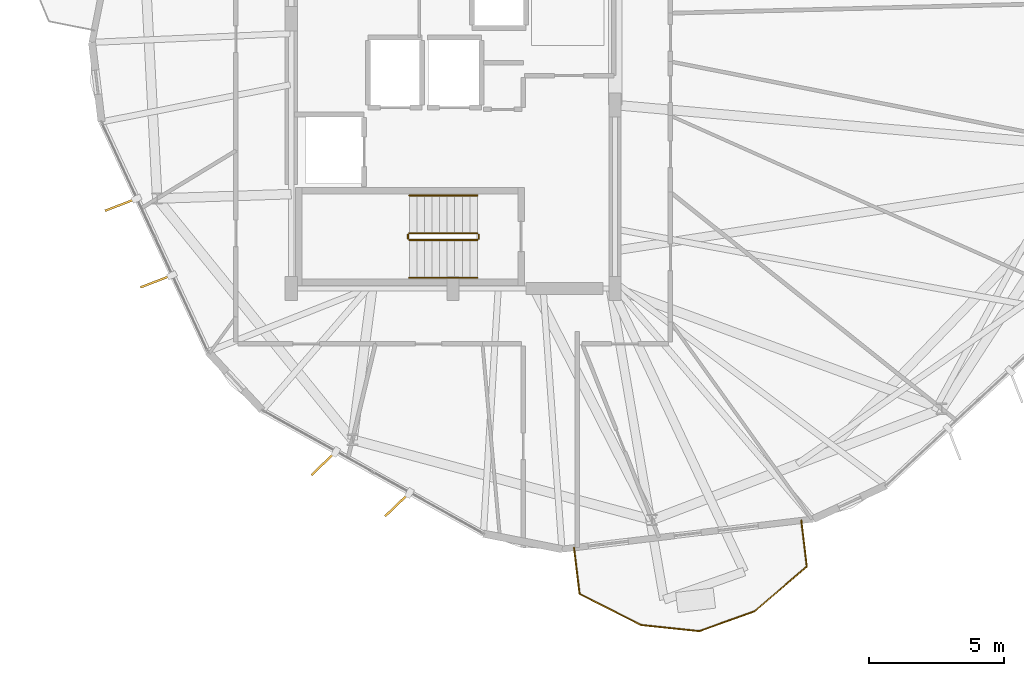
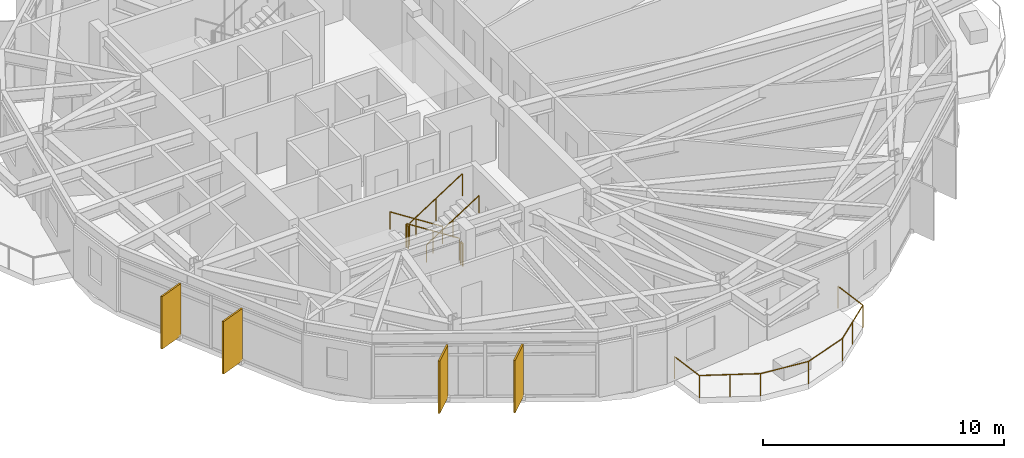
# One storey, part 23 of 25: 7 railings, 4 shading devices.
"""IFC4 building model written with IfcOpenShell, lengths in metres."""

from ifc_helpers import new_model, si_unit, direction, frame, origin, origin_2d, place, context, subcontext, project, spatial, rectangle, circle, extrude, material, layer, layer_set, type_object, element, save


model = new_model("IFC4")

# Units and contexts
model_context = context("Model", 3, precision=1e-05, world=origin(), true_north=direction((0.0, 1.0)))
body_context = subcontext(model_context, "Body", "Model", "MODEL_VIEW")
ifc_project = project(units=[si_unit("LENGTHUNIT", "METRE"), si_unit("AREAUNIT", "SQUARE_METRE"), si_unit("VOLUMEUNIT", "CUBIC_METRE"), si_unit("PLANEANGLEUNIT", "RADIAN"), si_unit("MASSUNIT", "GRAM", prefix="KILO")], contexts=[model_context])

# Site, building, storey
site_placement = place(None, origin())
site = spatial("IfcSite", under=ifc_project, at=site_placement, CompositionType="ELEMENT")
building_placement = place(site_placement, origin())
building = spatial("IfcBuilding", under=site, at=building_placement, Name="Soratama Intermodal Tower", CompositionType="ELEMENT")
storey_placement = place(building_placement, frame((0.0, 0.0, 190.60009765625)))
storey = spatial("IfcBuildingStorey", under=building, at=storey_placement, Name="L47", CompositionType="ELEMENT", Elevation=190.60009765625)

# Railings
ifc_material_1 = material(Name="Laminated glass and stainless steel balustrade", Category="steel")
railing_type_1 = type_object("IfcRailingType", Name="RL-BAL-1150", PredefinedType="BALUSTRADE", material=ifc_material_1)
railing_1_placement = place(storey_placement, frame((51.502197265625, 6.404296875, 0.0)))
element("IfcRailing", 1, at=railing_1_placement, inside=storey, type_object=railing_type_1, Name="L47 Balcony Balustrade 4", PredefinedType="BALUSTRADE", context=body_context, shape_type="SweptSolid", body=[
    extrude(circle(Radius=0.02392578125, at=origin_2d()), frame((0.0, 0.0, 1.1259765625), z_axis=(0.11908924965, -0.992883553403, 0.0), x_axis=(0.992883553403, 0.11908924965, 0.0)), (0.0, 0.0, 1.0), 1.719970703125),
    extrude(circle(Radius=0.02392578125, at=origin_2d()), frame((0.204833984375, -1.707763671875, 1.1259765625), z_axis=(-0.759756581128, -0.650207611023, 0.0), x_axis=(0.650207611023, -0.759756581128, 0.0)), (0.0, 0.0, 1.0), 2.549560546875),
    extrude(circle(Radius=0.02392578125, at=origin_2d()), frame((-1.732177734375, -3.365478515625, 1.1259765625), z_axis=(-0.941362947632, -0.337395614711, 0.0), x_axis=(0.337395614711, -0.941362947632, 0.0)), (0.0, 0.0, 1.0), 2.175048828125),
    extrude(circle(Radius=0.02392578125, at=origin_2d()), frame((-3.77978515625, -4.099365234375, 1.1259765625), z_axis=(-0.994455529397, 0.105157976644, 0.0), x_axis=(-0.105157976644, -0.994455529397, 0.0)), (0.0, 0.0, 1.0), 2.17529296875),
    extrude(circle(Radius=0.02392578125, at=origin_2d()), frame((-5.943115234375, -3.87060546875, 1.1259765625), z_axis=(-0.891962148261, 0.452110081806, 0.0), x_axis=(-0.452110081806, -0.891962148261, 0.0)), (0.0, 0.0, 1.0), 2.54931640625),
    extrude(circle(Radius=0.02392578125, at=origin_2d()), frame((-8.217041015625, -2.718017578125, 1.1259765625), z_axis=(-0.11908924965, 0.992883553403, 0.0), x_axis=(-0.992883553403, -0.11908924965, 0.0)), (0.0, 0.0, 1.0), 1.719970703125),
    extrude(circle(Radius=0.02099609375, at=origin_2d()), origin(), (0.0, 0.0, 1.0), 1.101806640625),
    extrude(circle(Radius=0.02099609375, at=origin_2d()), frame((0.204833984375, -1.707763671875, 0.0)), (0.0, 0.0, 1.0), 1.101806640625),
    extrude(circle(Radius=0.02099609375, at=origin_2d()), frame((-0.763671875, -2.53662109375, 0.0)), (0.0, 0.0, 1.0), 1.101806640625),
    extrude(circle(Radius=0.02099609375, at=origin_2d()), frame((-1.732177734375, -3.365478515625, 0.0)), (0.0, 0.0, 1.0), 1.101806640625),
    extrude(circle(Radius=0.02099609375, at=origin_2d()), frame((-3.77978515625, -4.099365234375, 0.0)), (0.0, 0.0, 1.0), 1.101806640625),
    extrude(circle(Radius=0.02099609375, at=origin_2d()), frame((-5.943115234375, -3.87060546875, 0.0)), (0.0, 0.0, 1.0), 1.101806640625),
    extrude(circle(Radius=0.02099609375, at=origin_2d()), frame((-7.080078125, -3.29443359375, 0.0)), (0.0, 0.0, 1.0), 1.101806640625),
    extrude(circle(Radius=0.02099609375, at=origin_2d()), frame((-8.217041015625, -2.718017578125, 0.0)), (0.0, 0.0, 1.0), 1.101806640625),
    extrude(circle(Radius=0.02099609375, at=origin_2d()), frame((-8.421875, -1.01025390625, 0.0)), (0.0, 0.0, 1.0), 1.101806640625),
])
ifc_material_2 = material(Name="Painted steel stair guardrail", Category="steel")
railing_type_2 = type_object("IfcRailingType", Name="RL-STAIR-GUARD", PredefinedType="GUARDRAIL", material=ifc_material_2)
railing_2_placement = place(storey_placement, frame((39.5, 17.050048828125, 0.179931640625)))
element("IfcRailing", 2, at=railing_2_placement, inside=storey, type_object=railing_type_2, Name="L47 ST-1 stair guard 1", PredefinedType="GUARDRAIL", context=body_context, shape_type="SweptSolid", body=[
    extrude(circle(Radius=0.02392578125, at=origin_2d()), frame((0.0, 0.0, 1.1259765625), z_axis=(-0.841199657755, 0.0, 0.540724639528), x_axis=(0.0, -1.0, 0.0)), (0.0, 0.0, 1.0), 2.995849609375),
    extrude(circle(Radius=0.02099609375, at=origin_2d()), origin(), (0.0, 0.0, 1.0), 1.101806640625),
    extrude(circle(Radius=0.02099609375, at=origin_2d()), frame((-1.260009765625, 0.0, 0.81005859375)), (0.0, 0.0, 1.0), 1.101806640625),
    extrude(circle(Radius=0.02099609375, at=origin_2d()), frame((-2.52001953125, 0.0, 1.619873046875)), (0.0, 0.0, 1.0), 1.101806640625),
])
railing_3_placement = place(storey_placement, frame((36.929931640625, 17.0, 1.7998046875)))
element("IfcRailing", 3, at=railing_3_placement, inside=storey, type_object=railing_type_2, Name="L47 ST-1 stair guard 2", PredefinedType="GUARDRAIL", context=body_context, shape_type="SweptSolid", body=[
    extrude(circle(Radius=0.02392578125, at=origin_2d()), frame((0.0, 0.0, 1.1259765625), z_axis=(0.0, -1.0, 0.0), x_axis=(1.0, 0.0, 0.0)), (0.0, 0.0, 1.0), 0.14990234375),
    extrude(circle(Radius=0.02099609375, at=origin_2d()), origin(), (0.0, 0.0, 1.0), 1.101806640625),
    extrude(circle(Radius=0.02099609375, at=origin_2d()), frame((0.0, -0.14990234375, 0.0)), (0.0, 0.0, 1.0), 1.101806640625),
])
railing_4_placement = place(storey_placement, frame((36.97998046875, 16.800048828125, 1.97998046875)))
element("IfcRailing", 4, at=railing_4_placement, inside=storey, type_object=railing_type_2, Name="L47 ST-1 stair guard 3", PredefinedType="GUARDRAIL", context=body_context, shape_type="SweptSolid", body=[
    extrude(circle(Radius=0.02392578125, at=origin_2d()), frame((0.0, 0.0, 1.1259765625), z_axis=(0.841199657755, 0.0, 0.540724639528), x_axis=(0.0, 1.0, 0.0)), (0.0, 0.0, 1.0), 2.995849609375),
    extrude(circle(Radius=0.02099609375, at=origin_2d()), origin(), (0.0, 0.0, 1.0), 1.101806640625),
    extrude(circle(Radius=0.02099609375, at=origin_2d()), frame((1.260009765625, 0.0, 0.81005859375)), (0.0, 0.0, 1.0), 1.101806640625),
    extrude(circle(Radius=0.02099609375, at=origin_2d()), frame((2.52001953125, 0.0, 1.619873046875)), (0.0, 0.0, 1.0), 1.101806640625),
])
railing_5_placement = place(storey_placement, frame((39.550048828125, 17.0, 0.0)))
element("IfcRailing", 5, at=railing_5_placement, inside=storey, type_object=railing_type_2, Name="L47 ST-1 stair guard 4", PredefinedType="GUARDRAIL", context=body_context, shape_type="SweptSolid", body=[
    extrude(circle(Radius=0.02392578125, at=origin_2d()), frame((0.0, 0.0, 1.1259765625), z_axis=(0.0, -1.0, 0.0), x_axis=(1.0, 0.0, 0.0)), (0.0, 0.0, 1.0), 0.14990234375),
    extrude(circle(Radius=0.02099609375, at=origin_2d()), origin(), (0.0, 0.0, 1.0), 1.101806640625),
    extrude(circle(Radius=0.02099609375, at=origin_2d()), frame((0.0, -0.14990234375, 0.0)), (0.0, 0.0, 1.0), 1.101806640625),
])
ifc_material_3 = material(Name="Brushed stainless steel handrail", Category="steel")
railing_type_3 = type_object("IfcRailingType", Name="RL-STAIR-HAND", PredefinedType="HANDRAIL", material=ifc_material_3)
railing_6_placement = place(storey_placement, frame((39.5, 18.449951171875, 0.179931640625)))
element("IfcRailing", 6, at=railing_6_placement, inside=storey, type_object=railing_type_3, Name="L47 ST-1 stair handrail 1", PredefinedType="HANDRAIL", context=body_context, shape_type="SweptSolid", body=[
    extrude(circle(Radius=0.02392578125, at=origin_2d()), frame((0.0, 0.0, 0.8759765625), z_axis=(-0.841199657755, 0.0, 0.540724639528), x_axis=(0.0, -1.0, 0.0)), (0.0, 0.0, 1.0), 2.995849609375),
    extrude(circle(Radius=0.02099609375, at=origin_2d()), origin(), (0.0, 0.0, 1.0), 0.851806640625),
    extrude(circle(Radius=0.02099609375, at=origin_2d()), frame((-1.260009765625, 0.0, 0.81005859375)), (0.0, 0.0, 1.0), 0.851806640625),
    extrude(circle(Radius=0.02099609375, at=origin_2d()), frame((-2.52001953125, 0.0, 1.619873046875)), (0.0, 0.0, 1.0), 0.851806640625),
])
railing_7_placement = place(storey_placement, frame((36.97998046875, 15.39990234375, 1.97998046875)))
element("IfcRailing", 7, at=railing_7_placement, inside=storey, type_object=railing_type_3, Name="L47 ST-1 stair handrail 2", PredefinedType="HANDRAIL", context=body_context, shape_type="SweptSolid", body=[
    extrude(circle(Radius=0.02392578125, at=origin_2d()), frame((0.0, 0.0, 0.8759765625), z_axis=(0.841199657755, 0.0, 0.540724639528), x_axis=(0.0, 1.0, 0.0)), (0.0, 0.0, 1.0), 2.995849609375),
    extrude(circle(Radius=0.02099609375, at=origin_2d()), origin(), (0.0, 0.0, 1.0), 0.851806640625),
    extrude(circle(Radius=0.02099609375, at=origin_2d()), frame((1.260009765625, 0.0, 0.81005859375)), (0.0, 0.0, 1.0), 0.851806640625),
    extrude(circle(Radius=0.02099609375, at=origin_2d()), frame((2.52001953125, 0.0, 1.619873046875)), (0.0, 0.0, 1.0), 0.851806640625),
])

# Shading devices
ifc_material_4 = material(Name="Champagne anodised aluminium solar fin", Category="aluminium")
ifc_layer = layer(ifc_material_4, 0.080078125)
ifc_layer_set = layer_set([ifc_layer], Name="Champagne anodised aluminium solar fin")
shading_device_type = type_object("IfcShadingDeviceType", Name="SH-FIN-1250", PredefinedType="USERDEFINED", material=ifc_layer_set)
for number, where, z_axis, x_axis, name in (
    (8, (26.283447265625, 18.10546875, 0.02001953125), (0.0, 0.0, 1.0), (-0.933016351911, -0.359833971528, 0.0), "L47 Solar Fin F05-1"),
    (9, (27.59716796875, 15.267333984375, 0.02001953125), (0.0, 0.0, 1.0), (-0.933016351911, -0.359833971528, 0.0), "L47 Solar Fin F05-2"),
    (10, (33.7958984375, 8.515380859375, 0.02001953125), (0.0, 0.0, 1.0), (-0.72091407724, -0.693024453563, 0.0), "L47 Solar Fin F06-1"),
    (11, (36.527099609375, 6.991455078125, 0.02001953125), (0.0, 0.0, 1.0), (-0.72091407724, -0.693024453563, 0.0), "L47 Solar Fin F06-2"),
):
    element("IfcShadingDevice", number, at=place(storey_placement, frame(where, z_axis=z_axis, x_axis=x_axis)), inside=storey, type_object=shading_device_type, Name=name, ObjectType="FIN", PredefinedType="USERDEFINED", context=body_context, shape_type="SweptSolid", body=[
        extrude(rectangle(XDim=1.25, YDim=0.080078125, at=origin_2d()), origin(), (0.0, 0.0, 1.0), 2.658935546875),
    ])

save(model, "model.ifc")
